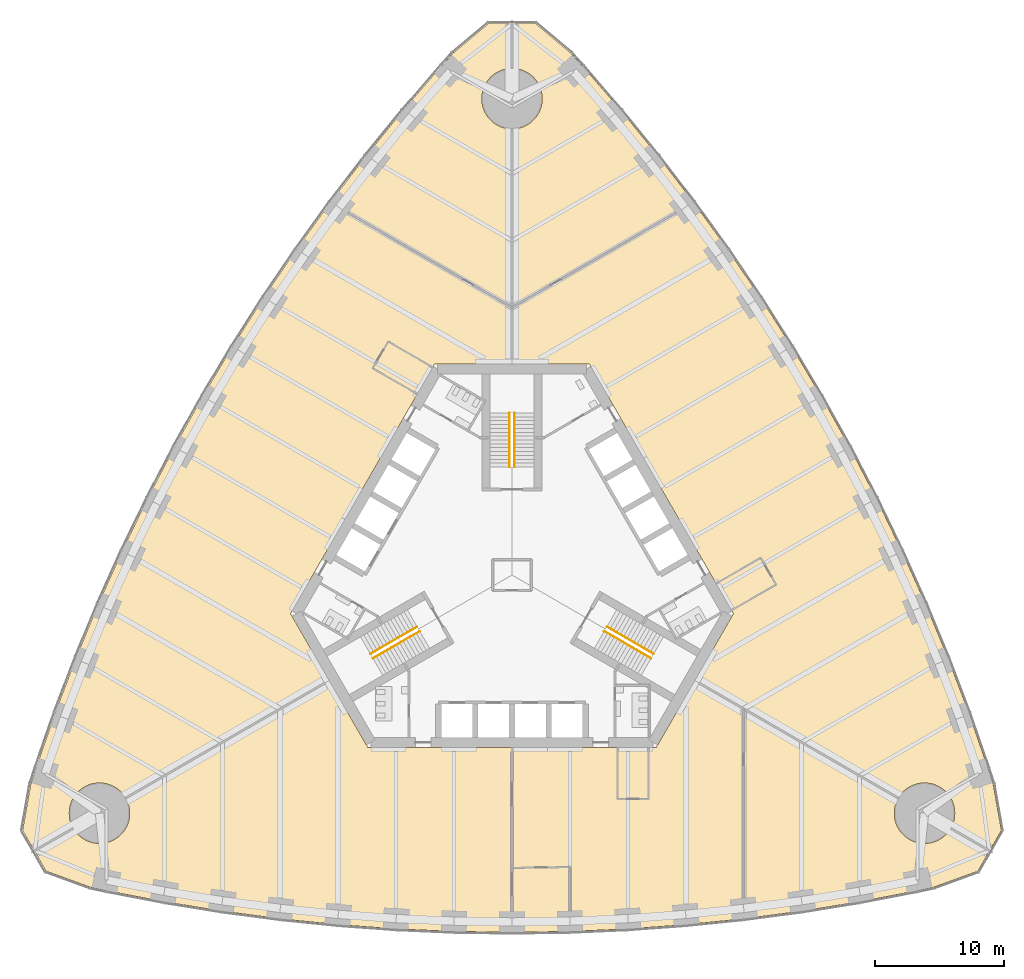
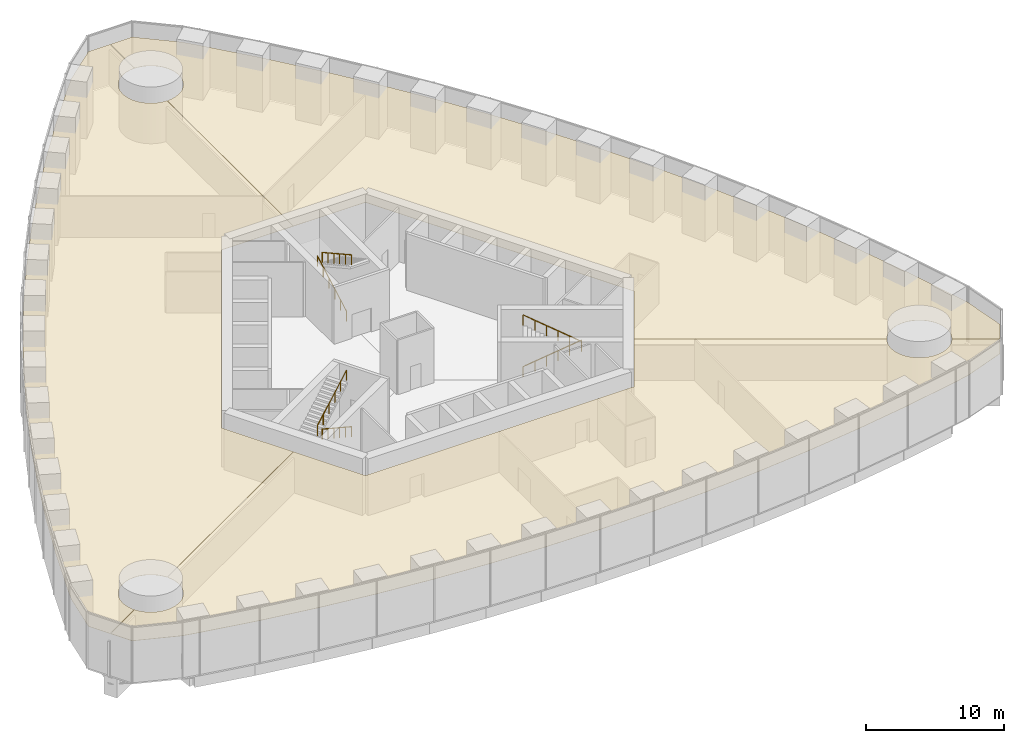
# One storey, part 19 of 21: 6 railings, 3 coverings.
"""IFC4 building model written with IfcOpenShell, lengths in metres."""

from ifc_helpers import new_model, si_unit, direction, frame, origin, origin_2d, place, context, subcontext, project, spatial, polyline, circle, outline, extrude, material, layer, layer_set, type_object, element, save


model = new_model("IFC4")

# Units and contexts
model_context = context("Model", 3, precision=1e-05, world=origin(), true_north=direction((0.0, 1.0)))
body_context = subcontext(model_context, "Body", "Model", "MODEL_VIEW")
ifc_project = project(units=[si_unit("LENGTHUNIT", "METRE"), si_unit("AREAUNIT", "SQUARE_METRE"), si_unit("VOLUMEUNIT", "CUBIC_METRE"), si_unit("PLANEANGLEUNIT", "RADIAN"), si_unit("MASSUNIT", "GRAM", prefix="KILO")], contexts=[model_context])

# Site, building, storey
site_placement = place(None, origin())
site = spatial("IfcSite", under=ifc_project, at=site_placement, CompositionType="ELEMENT")
building_placement = place(site_placement, origin())
building = spatial("IfcBuilding", under=site, at=building_placement, Name="Trefoil Bronze Tower", CompositionType="ELEMENT")
storey_placement = place(building_placement, frame((0.0, 0.0, 6.5)))
storey = spatial("IfcBuildingStorey", under=building, at=storey_placement, Name="L01", CompositionType="ELEMENT", Elevation=6.5)

# Coverings
ifc_material_1 = material(Name="Bronze metal ceiling panels", Category="metal")
ifc_layer = layer(ifc_material_1, 0.02001953125)
ifc_layer_set = layer_set([ifc_layer], Name="Feature ceiling 20")
covering_type = type_object("IfcCoveringType", Name="Feature ceiling 20", PredefinedType="CEILING", material=ifc_layer_set)
covering_1_placement = place(storey_placement, frame((0.0, 0.0, 3.60009765625)))
element("IfcCovering", 1, at=covering_1_placement, inside=storey, type_object=covering_type, Name="Ceiling L01 Pre-function foyer F1", PredefinedType="CEILING", context=body_context, shape_type="SweptSolid", body=[
    extrude(outline(polyline([(-33.996826171875, -19.8056640625), (-33.930419921875, -19.89990234375), (-33.859619140625, -19.99072265625), (-33.7841796875, -20.078125), (-33.70458984375, -20.16162109375), (-33.62109375, -20.2412109375), (-33.53369140625, -20.316650390625), (-33.44287109375, -20.387451171875), (-33.348388671875, -20.4541015625), (-33.251220703125, -20.515625), (-33.150634765625, -20.572509765625), (-33.047607421875, -20.62451171875), (-32.942138671875, -20.671142578125), (-32.834716796875, -20.712646484375), (-32.72509765625, -20.748779296875), (-32.614013671875, -20.779541015625), (-32.50146484375, -20.8046875), (-32.3876953125, -20.82470703125), (-32.273193359375, -20.838623046875), (-32.158203125, -20.84716796875), (-32.04296875, -20.85009765625), (-31.927490234375, -20.84716796875), (-31.8125, -20.838623046875), (-31.697998046875, -20.82470703125), (-31.58447265625, -20.8046875), (-31.471923828125, -20.779541015625), (-31.36083984375, -20.748779296875), (-31.251220703125, -20.712646484375), (-31.1435546875, -20.671142578125), (-31.0380859375, -20.62451171875), (-30.935302734375, -20.572509765625), (-30.834716796875, -20.515625), (-30.7373046875, -20.4541015625), (-30.64306640625, -20.387451171875), (-30.552001953125, -20.316650390625), (-30.46484375, -20.2412109375), (-30.381103515625, -20.16162109375), (-30.3017578125, -20.078125), (-30.226318359375, -19.99072265625), (-30.155517578125, -19.89990234375), (-30.089111328125, -19.8056640625), (-30.02734375, -19.7080078125), (-29.970458984375, -19.60791015625), (-29.918701171875, -19.5048828125), (-29.871826171875, -19.3994140625), (-29.830322265625, -19.291748046875), (-29.794189453125, -19.18212890625), (-29.763427734375, -19.071044921875), (-29.738037109375, -18.95849609375), (-29.718505859375, -18.8447265625), (-29.704345703125, -18.730224609375), (-29.69580078125, -18.615234375), (-29.69287109375, -18.5), (-29.69580078125, -18.384765625), (-29.704345703125, -18.269775390625), (-29.718505859375, -18.1552734375), (-29.738037109375, -18.04150390625), (-29.763427734375, -17.928955078125), (-29.794189453125, -17.81787109375), (-29.830322265625, -17.708251953125), (-29.871826171875, -17.6005859375), (-29.918701171875, -17.4951171875), (-29.970458984375, -17.39208984375), (-30.001953125, -17.336669921875), (-14.19970703125, -8.205322265625), (-11.20068359375, -13.39990234375), (11.20068359375, -13.39990234375), (14.19970703125, -8.205322265625), (30.001953125, -17.336669921875), (29.970458984375, -17.39208984375), (29.918701171875, -17.4951171875), (29.871826171875, -17.6005859375), (29.830322265625, -17.708251953125), (29.794189453125, -17.81787109375), (29.763427734375, -17.928955078125), (29.738037109375, -18.04150390625), (29.718505859375, -18.1552734375), (29.704345703125, -18.269775390625), (29.69580078125, -18.384765625), (29.69287109375, -18.5), (29.69580078125, -18.615234375), (29.704345703125, -18.730224609375), (29.718505859375, -18.8447265625), (29.738037109375, -18.95849609375), (29.763427734375, -19.071044921875), (29.794189453125, -19.18212890625), (29.830322265625, -19.291748046875), (29.871826171875, -19.3994140625), (29.918701171875, -19.5048828125), (29.970458984375, -19.60791015625), (30.02734375, -19.7080078125), (30.089111328125, -19.8056640625), (30.155517578125, -19.89990234375), (30.226318359375, -19.99072265625), (30.3017578125, -20.078125), (30.381103515625, -20.16162109375), (30.46484375, -20.2412109375), (30.552001953125, -20.316650390625), (30.64306640625, -20.387451171875), (30.7373046875, -20.4541015625), (30.834716796875, -20.515625), (30.935302734375, -20.572509765625), (31.0380859375, -20.62451171875), (31.1435546875, -20.671142578125), (31.251220703125, -20.712646484375), (31.36083984375, -20.748779296875), (31.471923828125, -20.779541015625), (31.58447265625, -20.8046875), (31.697998046875, -20.82470703125), (31.8125, -20.838623046875), (31.927490234375, -20.84716796875), (32.04296875, -20.85009765625), (32.158203125, -20.84716796875), (32.273193359375, -20.838623046875), (32.3876953125, -20.82470703125), (32.50146484375, -20.8046875), (32.614013671875, -20.779541015625), (32.72509765625, -20.748779296875), (32.834716796875, -20.712646484375), (32.942138671875, -20.671142578125), (33.047607421875, -20.62451171875), (33.150634765625, -20.572509765625), (33.251220703125, -20.515625), (33.348388671875, -20.4541015625), (33.44287109375, -20.387451171875), (33.53369140625, -20.316650390625), (33.62109375, -20.2412109375), (33.70458984375, -20.16162109375), (33.7841796875, -20.078125), (33.859619140625, -19.99072265625), (33.930419921875, -19.89990234375), (33.996826171875, -19.8056640625), (34.0703125, -19.6875), (37.094482421875, -21.43505859375), (36.190673828125, -23.0009765625), (32.762451171875, -24.248779296875), (31.5, -24.51611328125), (27.0, -25.38037109375), (22.5, -26.10791015625), (18.0, -26.70068359375), (13.5, -27.159912109375), (9.0, -27.4873046875), (4.5, -27.683349609375), (0.0, -27.748779296875), (-4.5, -27.683349609375), (-9.0, -27.4873046875), (-13.5, -27.159912109375), (-18.0, -26.70068359375), (-22.5, -26.10791015625), (-27.0, -25.38037109375), (-31.5, -24.51611328125), (-32.762451171875, -24.248779296875), (-36.190673828125, -23.0009765625), (-37.094482421875, -21.43505859375), (-34.0703125, -19.6875), (-33.996826171875, -19.8056640625)])), origin(), (0.0, 0.0, 1.0), 0.02001953125),
])
covering_2_placement = place(storey_placement, frame((0.0, 0.0, 3.60009765625)))
element("IfcCovering", 2, at=covering_2_placement, inside=storey, type_object=covering_type, Name="Ceiling L01 Executive office suite F2", PredefinedType="CEILING", context=body_context, shape_type="SweptSolid", body=[
    extrude(outline(polyline([(5.4814453125, 39.537841796875), (8.47998046875, 36.072998046875), (11.360107421875, 32.53955078125), (14.123291015625, 28.938720703125), (16.771240234375, 25.271484375), (19.3046875, 21.537841796875), (21.724609375, 17.73876953125), (24.031005859375, 13.87451171875), (26.224609375, 9.944580078125), (28.3046875, 5.949462890625), (30.271240234375, 1.888671875), (32.123291015625, -2.23828125), (33.860107421875, -6.431640625), (35.47998046875, -10.6923828125), (36.9814453125, -15.021728515625), (37.381103515625, -16.248779296875), (38.0146484375, -19.841552734375), (37.110595703125, -21.4072265625), (34.084716796875, -19.661865234375), (34.115478515625, -19.60791015625), (34.167236328125, -19.5048828125), (34.214111328125, -19.3994140625), (34.255615234375, -19.291748046875), (34.291748046875, -19.18212890625), (34.322509765625, -19.071044921875), (34.347900390625, -18.95849609375), (34.367431640625, -18.8447265625), (34.381591796875, -18.730224609375), (34.39013671875, -18.615234375), (34.392822265625, -18.5), (34.39013671875, -18.384765625), (34.381591796875, -18.269775390625), (34.367431640625, -18.1552734375), (34.347900390625, -18.04150390625), (34.322509765625, -17.928955078125), (34.291748046875, -17.81787109375), (34.255615234375, -17.708251953125), (34.214111328125, -17.6005859375), (34.167236328125, -17.4951171875), (34.115478515625, -17.39208984375), (34.05859375, -17.2919921875), (33.996826171875, -17.1943359375), (33.930419921875, -17.10009765625), (33.859619140625, -17.00927734375), (33.7841796875, -16.921875), (33.70458984375, -16.83837890625), (33.62109375, -16.7587890625), (33.53369140625, -16.683349609375), (33.44287109375, -16.612548828125), (33.348388671875, -16.5458984375), (33.251220703125, -16.484375), (33.150634765625, -16.427490234375), (33.047607421875, -16.37548828125), (32.942138671875, -16.328857421875), (32.834716796875, -16.287353515625), (32.72509765625, -16.251220703125), (32.614013671875, -16.220458984375), (32.50146484375, -16.1953125), (32.3876953125, -16.17529296875), (32.273193359375, -16.161376953125), (32.158203125, -16.15283203125), (32.04296875, -16.14990234375), (31.927490234375, -16.15283203125), (31.8125, -16.161376953125), (31.697998046875, -16.17529296875), (31.58447265625, -16.1953125), (31.471923828125, -16.220458984375), (31.36083984375, -16.251220703125), (31.251220703125, -16.287353515625), (31.1435546875, -16.328857421875), (31.0380859375, -16.37548828125), (30.935302734375, -16.427490234375), (30.834716796875, -16.484375), (30.7373046875, -16.5458984375), (30.64306640625, -16.612548828125), (30.552001953125, -16.683349609375), (30.46484375, -16.7587890625), (30.381103515625, -16.83837890625), (30.3017578125, -16.921875), (30.226318359375, -17.00927734375), (30.155517578125, -17.10009765625), (30.089111328125, -17.1943359375), (30.02734375, -17.2919921875), (30.0146484375, -17.31396484375), (14.205810546875, -8.194580078125), (17.205078125, -3.0), (6.00439453125, 16.39990234375), (0.006103515625, 16.39990234375), (0.012939453125, 34.650390625), (0.115234375, 34.65283203125), (0.230224609375, 34.661376953125), (0.3447265625, 34.67529296875), (0.45849609375, 34.6953125), (0.571044921875, 34.720458984375), (0.68212890625, 34.751220703125), (0.791748046875, 34.787353515625), (0.8994140625, 34.828857421875), (1.0048828125, 34.87548828125), (1.10791015625, 34.927490234375), (1.2080078125, 34.984375), (1.3056640625, 35.0458984375), (1.39990234375, 35.112548828125), (1.49072265625, 35.183349609375), (1.578125, 35.2587890625), (1.66162109375, 35.33837890625), (1.7412109375, 35.421875), (1.816650390625, 35.50927734375), (1.887451171875, 35.60009765625), (1.9541015625, 35.6943359375), (2.015625, 35.7919921875), (2.072509765625, 35.89208984375), (2.12451171875, 35.9951171875), (2.171142578125, 36.1005859375), (2.212646484375, 36.208251953125), (2.248779296875, 36.31787109375), (2.279541015625, 36.428955078125), (2.3046875, 36.54150390625), (2.32470703125, 36.6552734375), (2.338623046875, 36.769775390625), (2.34716796875, 36.884765625), (2.35009765625, 37.0), (2.34716796875, 37.115234375), (2.338623046875, 37.230224609375), (2.32470703125, 37.3447265625), (2.3046875, 37.45849609375), (2.279541015625, 37.571044921875), (2.248779296875, 37.68212890625), (2.212646484375, 37.791748046875), (2.171142578125, 37.8994140625), (2.12451171875, 38.0048828125), (2.072509765625, 38.10791015625), (2.015625, 38.2080078125), (1.9541015625, 38.3056640625), (1.887451171875, 38.39990234375), (1.816650390625, 38.49072265625), (1.7412109375, 38.578125), (1.66162109375, 38.66162109375), (1.578125, 38.7412109375), (1.49072265625, 38.816650390625), (1.39990234375, 38.887451171875), (1.3056640625, 38.9541015625), (1.2080078125, 39.015625), (1.10791015625, 39.072509765625), (1.0048828125, 39.12451171875), (0.8994140625, 39.171142578125), (0.791748046875, 39.212646484375), (0.68212890625, 39.248779296875), (0.571044921875, 39.279541015625), (0.45849609375, 39.3046875), (0.3447265625, 39.32470703125), (0.230224609375, 39.338623046875), (0.115234375, 39.34716796875), (0.014892578125, 39.349609375), (0.01611328125, 42.84228515625), (1.82421875, 42.84228515625), (4.618896484375, 40.497314453125), (5.4814453125, 39.537841796875)])), origin(), (0.0, 0.0, 1.0), 0.02001953125),
])
covering_3_placement = place(storey_placement, frame((0.0, 0.0, 3.60009765625)))
element("IfcCovering", 3, at=covering_3_placement, inside=storey, type_object=covering_type, Name="Ceiling L01 Business centre F3", PredefinedType="CEILING", context=body_context, shape_type="SweptSolid", body=[
    extrude(outline(polyline([(-36.9814453125, -15.021728515625), (-35.47998046875, -10.6923828125), (-33.860107421875, -6.431640625), (-32.123291015625, -2.23828125), (-30.271240234375, 1.888671875), (-28.3046875, 5.949462890625), (-26.224609375, 9.944580078125), (-24.031005859375, 13.87451171875), (-21.724609375, 17.73876953125), (-19.3046875, 21.537841796875), (-16.771240234375, 25.271484375), (-14.123291015625, 28.938720703125), (-11.360107421875, 32.53955078125), (-8.47998046875, 36.072998046875), (-5.4814453125, 39.537841796875), (-4.618896484375, 40.497314453125), (-1.82421875, 42.84228515625), (-0.01611328125, 42.84228515625), (-0.014892578125, 39.349609375), (-0.115234375, 39.34716796875), (-0.230224609375, 39.338623046875), (-0.3447265625, 39.32470703125), (-0.45849609375, 39.3046875), (-0.571044921875, 39.279541015625), (-0.68212890625, 39.248779296875), (-0.791748046875, 39.212646484375), (-0.8994140625, 39.171142578125), (-1.0048828125, 39.12451171875), (-1.10791015625, 39.072509765625), (-1.2080078125, 39.015625), (-1.3056640625, 38.9541015625), (-1.39990234375, 38.887451171875), (-1.49072265625, 38.816650390625), (-1.578125, 38.7412109375), (-1.66162109375, 38.66162109375), (-1.7412109375, 38.578125), (-1.816650390625, 38.49072265625), (-1.887451171875, 38.39990234375), (-1.9541015625, 38.3056640625), (-2.015625, 38.2080078125), (-2.072509765625, 38.10791015625), (-2.12451171875, 38.0048828125), (-2.171142578125, 37.8994140625), (-2.212646484375, 37.791748046875), (-2.248779296875, 37.68212890625), (-2.279541015625, 37.571044921875), (-2.3046875, 37.45849609375), (-2.32470703125, 37.3447265625), (-2.338623046875, 37.230224609375), (-2.34716796875, 37.115234375), (-2.35009765625, 37.0), (-2.34716796875, 36.884765625), (-2.338623046875, 36.769775390625), (-2.32470703125, 36.6552734375), (-2.3046875, 36.54150390625), (-2.279541015625, 36.428955078125), (-2.248779296875, 36.31787109375), (-2.212646484375, 36.208251953125), (-2.171142578125, 36.1005859375), (-2.12451171875, 35.9951171875), (-2.072509765625, 35.89208984375), (-2.015625, 35.7919921875), (-1.9541015625, 35.6943359375), (-1.887451171875, 35.60009765625), (-1.816650390625, 35.50927734375), (-1.7412109375, 35.421875), (-1.66162109375, 35.33837890625), (-1.578125, 35.2587890625), (-1.49072265625, 35.183349609375), (-1.39990234375, 35.112548828125), (-1.3056640625, 35.0458984375), (-1.2080078125, 34.984375), (-1.10791015625, 34.927490234375), (-1.0048828125, 34.87548828125), (-0.8994140625, 34.828857421875), (-0.791748046875, 34.787353515625), (-0.68212890625, 34.751220703125), (-0.571044921875, 34.720458984375), (-0.45849609375, 34.6953125), (-0.3447265625, 34.67529296875), (-0.230224609375, 34.661376953125), (-0.115234375, 34.65283203125), (-0.012939453125, 34.650390625), (-0.006103515625, 16.39990234375), (-6.00439453125, 16.39990234375), (-17.205078125, -3.0), (-14.205810546875, -8.194580078125), (-30.0146484375, -17.31396484375), (-30.02734375, -17.2919921875), (-30.089111328125, -17.1943359375), (-30.155517578125, -17.10009765625), (-30.226318359375, -17.00927734375), (-30.3017578125, -16.921875), (-30.381103515625, -16.83837890625), (-30.46484375, -16.7587890625), (-30.552001953125, -16.683349609375), (-30.64306640625, -16.612548828125), (-30.7373046875, -16.5458984375), (-30.834716796875, -16.484375), (-30.935302734375, -16.427490234375), (-31.0380859375, -16.37548828125), (-31.1435546875, -16.328857421875), (-31.251220703125, -16.287353515625), (-31.36083984375, -16.251220703125), (-31.471923828125, -16.220458984375), (-31.58447265625, -16.1953125), (-31.697998046875, -16.17529296875), (-31.8125, -16.161376953125), (-31.927490234375, -16.15283203125), (-32.04296875, -16.14990234375), (-32.158203125, -16.15283203125), (-32.273193359375, -16.161376953125), (-32.3876953125, -16.17529296875), (-32.50146484375, -16.1953125), (-32.614013671875, -16.220458984375), (-32.72509765625, -16.251220703125), (-32.834716796875, -16.287353515625), (-32.942138671875, -16.328857421875), (-33.047607421875, -16.37548828125), (-33.150634765625, -16.427490234375), (-33.251220703125, -16.484375), (-33.348388671875, -16.5458984375), (-33.44287109375, -16.612548828125), (-33.53369140625, -16.683349609375), (-33.62109375, -16.7587890625), (-33.70458984375, -16.83837890625), (-33.7841796875, -16.921875), (-33.859619140625, -17.00927734375), (-33.930419921875, -17.10009765625), (-33.996826171875, -17.1943359375), (-34.05859375, -17.2919921875), (-34.115478515625, -17.39208984375), (-34.167236328125, -17.4951171875), (-34.214111328125, -17.6005859375), (-34.255615234375, -17.708251953125), (-34.291748046875, -17.81787109375), (-34.322509765625, -17.928955078125), (-34.347900390625, -18.04150390625), (-34.367431640625, -18.1552734375), (-34.381591796875, -18.269775390625), (-34.39013671875, -18.384765625), (-34.392822265625, -18.5), (-34.39013671875, -18.615234375), (-34.381591796875, -18.730224609375), (-34.367431640625, -18.8447265625), (-34.347900390625, -18.95849609375), (-34.322509765625, -19.071044921875), (-34.291748046875, -19.18212890625), (-34.255615234375, -19.291748046875), (-34.214111328125, -19.3994140625), (-34.167236328125, -19.5048828125), (-34.115478515625, -19.60791015625), (-34.084716796875, -19.661865234375), (-37.110595703125, -21.4072265625), (-38.0146484375, -19.841552734375), (-37.381103515625, -16.248779296875), (-36.9814453125, -15.021728515625)])), origin(), (0.0, 0.0, 1.0), 0.02001953125),
])

# Railings
ifc_material_2 = material(Name="Steel handrail", Category="steel")
railing_type = type_object("IfcRailingType", Name="Handrail 900", PredefinedType="HANDRAIL", material=ifc_material_2)
railing_1_placement = place(storey_placement, frame((7.365966796875, -4.021728515625, 0.166748046875)))
element("IfcRailing", 4, at=railing_1_placement, inside=storey, type_object=railing_type, Name="Handrail ST1 flight 1 L01", PredefinedType="HANDRAIL", context=body_context, shape_type="SweptSolid", body=[
    extrude(circle(Radius=0.02392578125, at=origin_2d()), frame((0.0, 0.0, 0.8759765625), z_axis=(0.757033054248, -0.437105539847, 0.485633299735), x_axis=(0.500027713859, 0.866009402589, 0.0)), (0.0, 0.0, 1.0), 4.804443359375),
    extrude(circle(Radius=0.02099609375, at=origin_2d()), origin(), (0.0, 0.0, 1.0), 0.851806640625),
    extrude(circle(Radius=0.02099609375, at=origin_2d()), frame((0.7275390625, -0.419921875, 0.466552734375)), (0.0, 0.0, 1.0), 0.851806640625),
    extrude(circle(Radius=0.02099609375, at=origin_2d()), frame((1.454833984375, -0.840087890625, 0.933349609375)), (0.0, 0.0, 1.0), 0.851806640625),
    extrude(circle(Radius=0.02099609375, at=origin_2d()), frame((2.182373046875, -1.260009765625, 1.39990234375)), (0.0, 0.0, 1.0), 0.851806640625),
    extrude(circle(Radius=0.02099609375, at=origin_2d()), frame((2.90966796875, -1.68017578125, 1.86669921875)), (0.0, 0.0, 1.0), 0.851806640625),
    extrude(circle(Radius=0.02099609375, at=origin_2d()), frame((3.63720703125, -2.10009765625, 2.333251953125)), (0.0, 0.0, 1.0), 0.851806640625),
])
railing_2_placement = place(storey_placement, frame((10.80322265625, -6.46826171875, 2.666748046875)))
element("IfcRailing", 5, at=railing_2_placement, inside=storey, type_object=railing_type, Name="Handrail ST1 flight 2 L01", PredefinedType="HANDRAIL", context=body_context, shape_type="SweptSolid", body=[
    extrude(circle(Radius=0.02392578125, at=origin_2d()), frame((0.0, 0.0, 0.8759765625), z_axis=(-0.757033054248, 0.437105539847, 0.485633299735), x_axis=(-0.500027713859, -0.866009402589, 0.0)), (0.0, 0.0, 1.0), 4.804443359375),
    extrude(circle(Radius=0.02099609375, at=origin_2d()), origin(), (0.0, 0.0, 1.0), 0.851806640625),
    extrude(circle(Radius=0.02099609375, at=origin_2d()), frame((-0.7275390625, 0.419921875, 0.466552734375)), (0.0, 0.0, 1.0), 0.851806640625),
    extrude(circle(Radius=0.02099609375, at=origin_2d()), frame((-1.454833984375, 0.840087890625, 0.933349609375)), (0.0, 0.0, 1.0), 0.851806640625),
    extrude(circle(Radius=0.02099609375, at=origin_2d()), frame((-2.182373046875, 1.260009765625, 1.39990234375)), (0.0, 0.0, 1.0), 0.851806640625),
    extrude(circle(Radius=0.02099609375, at=origin_2d()), frame((-2.90966796875, 1.68017578125, 1.86669921875)), (0.0, 0.0, 1.0), 0.851806640625),
    extrude(circle(Radius=0.02099609375, at=origin_2d()), frame((-3.63720703125, 2.10009765625, 2.333251953125)), (0.0, 0.0, 1.0), 0.851806640625),
])
railing_3_placement = place(storey_placement, frame((-0.199951171875, 8.389892578125, 0.166748046875)))
element("IfcRailing", 6, at=railing_3_placement, inside=storey, type_object=railing_type, Name="Handrail ST2 flight 1 L01", PredefinedType="HANDRAIL", context=body_context, shape_type="SweptSolid", body=[
    extrude(circle(Radius=0.02392578125, at=origin_2d()), frame((0.0, 0.0, 0.8759765625), z_axis=(0.0, 0.874174053232, 0.485612731152), x_axis=(-1.0, 0.0, 0.0)), (0.0, 0.0, 1.0), 4.8046875),
    extrude(circle(Radius=0.02099609375, at=origin_2d()), origin(), (0.0, 0.0, 1.0), 0.851806640625),
    extrude(circle(Radius=0.02099609375, at=origin_2d()), frame((0.0, 0.840087890625, 0.466552734375)), (0.0, 0.0, 1.0), 0.851806640625),
    extrude(circle(Radius=0.02099609375, at=origin_2d()), frame((0.0, 1.68017578125, 0.933349609375)), (0.0, 0.0, 1.0), 0.851806640625),
    extrude(circle(Radius=0.02099609375, at=origin_2d()), frame((0.0, 2.52001953125, 1.39990234375)), (0.0, 0.0, 1.0), 0.851806640625),
    extrude(circle(Radius=0.02099609375, at=origin_2d()), frame((0.0, 3.360107421875, 1.86669921875)), (0.0, 0.0, 1.0), 0.851806640625),
    extrude(circle(Radius=0.02099609375, at=origin_2d()), frame((0.0, 4.2001953125, 2.333251953125)), (0.0, 0.0, 1.0), 0.851806640625),
])
railing_4_placement = place(storey_placement, frame((0.199951171875, 12.590087890625, 2.666748046875)))
element("IfcRailing", 7, at=railing_4_placement, inside=storey, type_object=railing_type, Name="Handrail ST2 flight 2 L01", PredefinedType="HANDRAIL", context=body_context, shape_type="SweptSolid", body=[
    extrude(circle(Radius=0.02392578125, at=origin_2d()), frame((0.0, 0.0, 0.8759765625), z_axis=(0.0, -0.874174053232, 0.485612731152), x_axis=(1.0, 0.0, 0.0)), (0.0, 0.0, 1.0), 4.8046875),
    extrude(circle(Radius=0.02099609375, at=origin_2d()), origin(), (0.0, 0.0, 1.0), 0.851806640625),
    extrude(circle(Radius=0.02099609375, at=origin_2d()), frame((0.0, -0.840087890625, 0.466552734375)), (0.0, 0.0, 1.0), 0.851806640625),
    extrude(circle(Radius=0.02099609375, at=origin_2d()), frame((0.0, -1.68017578125, 0.933349609375)), (0.0, 0.0, 1.0), 0.851806640625),
    extrude(circle(Radius=0.02099609375, at=origin_2d()), frame((0.0, -2.52001953125, 1.39990234375)), (0.0, 0.0, 1.0), 0.851806640625),
    extrude(circle(Radius=0.02099609375, at=origin_2d()), frame((0.0, -3.360107421875, 1.86669921875)), (0.0, 0.0, 1.0), 0.851806640625),
    extrude(circle(Radius=0.02099609375, at=origin_2d()), frame((0.0, -4.2001953125, 2.333251953125)), (0.0, 0.0, 1.0), 0.851806640625),
])
railing_5_placement = place(storey_placement, frame((-7.166015625, -4.3681640625, 0.166748046875)))
element("IfcRailing", 8, at=railing_5_placement, inside=storey, type_object=railing_type, Name="Handrail ST3 flight 1 L01", PredefinedType="HANDRAIL", context=body_context, shape_type="SweptSolid", body=[
    extrude(circle(Radius=0.02392578125, at=origin_2d()), frame((0.0, 0.0, 0.8759765625), z_axis=(-0.757033054248, -0.437105539847, 0.485633299735), x_axis=(0.500027713859, -0.866009402589, 0.0)), (0.0, 0.0, 1.0), 4.804443359375),
    extrude(circle(Radius=0.02099609375, at=origin_2d()), origin(), (0.0, 0.0, 1.0), 0.851806640625),
    extrude(circle(Radius=0.02099609375, at=origin_2d()), frame((-0.7275390625, -0.419921875, 0.466552734375)), (0.0, 0.0, 1.0), 0.851806640625),
    extrude(circle(Radius=0.02099609375, at=origin_2d()), frame((-1.454833984375, -0.840087890625, 0.933349609375)), (0.0, 0.0, 1.0), 0.851806640625),
    extrude(circle(Radius=0.02099609375, at=origin_2d()), frame((-2.182373046875, -1.260009765625, 1.39990234375)), (0.0, 0.0, 1.0), 0.851806640625),
    extrude(circle(Radius=0.02099609375, at=origin_2d()), frame((-2.90966796875, -1.68017578125, 1.86669921875)), (0.0, 0.0, 1.0), 0.851806640625),
    extrude(circle(Radius=0.02099609375, at=origin_2d()), frame((-3.63720703125, -2.10009765625, 2.333251953125)), (0.0, 0.0, 1.0), 0.851806640625),
])
railing_6_placement = place(storey_placement, frame((-11.003173828125, -6.121826171875, 2.666748046875)))
element("IfcRailing", 9, at=railing_6_placement, inside=storey, type_object=railing_type, Name="Handrail ST3 flight 2 L01", PredefinedType="HANDRAIL", context=body_context, shape_type="SweptSolid", body=[
    extrude(circle(Radius=0.02392578125, at=origin_2d()), frame((0.0, 0.0, 0.8759765625), z_axis=(0.757033054248, 0.437105539847, 0.485633299735), x_axis=(-0.500027713859, 0.866009402589, 0.0)), (0.0, 0.0, 1.0), 4.804443359375),
    extrude(circle(Radius=0.02099609375, at=origin_2d()), origin(), (0.0, 0.0, 1.0), 0.851806640625),
    extrude(circle(Radius=0.02099609375, at=origin_2d()), frame((0.7275390625, 0.419921875, 0.466552734375)), (0.0, 0.0, 1.0), 0.851806640625),
    extrude(circle(Radius=0.02099609375, at=origin_2d()), frame((1.454833984375, 0.840087890625, 0.933349609375)), (0.0, 0.0, 1.0), 0.851806640625),
    extrude(circle(Radius=0.02099609375, at=origin_2d()), frame((2.182373046875, 1.260009765625, 1.39990234375)), (0.0, 0.0, 1.0), 0.851806640625),
    extrude(circle(Radius=0.02099609375, at=origin_2d()), frame((2.90966796875, 1.68017578125, 1.86669921875)), (0.0, 0.0, 1.0), 0.851806640625),
    extrude(circle(Radius=0.02099609375, at=origin_2d()), frame((3.63720703125, 2.10009765625, 2.333251953125)), (0.0, 0.0, 1.0), 0.851806640625),
])

save(model, "model.ifc")
